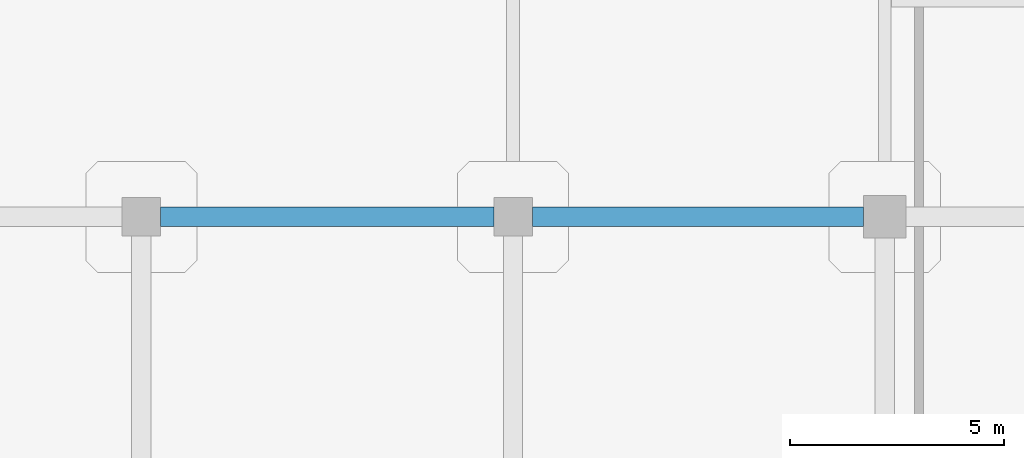
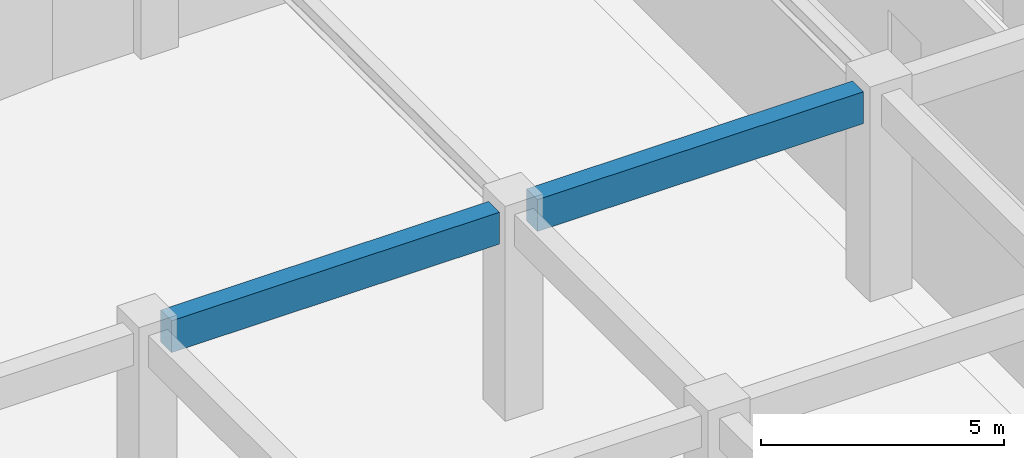
# One storey, part 20 of 114: 2 beams.
"""IFC4 building model written with IfcOpenShell, lengths in metres."""

from ifc_helpers import new_model, si_unit, derived_unit, direction, frame, origin, origin_2d, place, context, subcontext, project, spatial, rectangle, extrude, material, material_profile, profile_set, type_object, element, save


model = new_model("IFC4")

# Units and contexts
model_context = context("Model", 3, precision=1e-05, world=origin(), true_north=direction((0.0, 1.0)))
body_context = subcontext(model_context, "Body", "Model", "MODEL_VIEW")
ifc_project = project(units=[si_unit("LENGTHUNIT", "METRE"), si_unit("AREAUNIT", "SQUARE_METRE"), si_unit("VOLUMEUNIT", "CUBIC_METRE"), si_unit("PLANEANGLEUNIT", "RADIAN"), si_unit("MASSUNIT", "GRAM", prefix="KILO"), derived_unit("THERMALTRANSMITTANCEUNIT", [(si_unit("MASSUNIT", "GRAM", prefix="KILO"), 1), (si_unit("TIMEUNIT", "SECOND"), -3), (si_unit("THERMODYNAMICTEMPERATUREUNIT", "KELVIN"), -1)])], contexts=[model_context])

# Site, building, storey
site_placement = place(None, origin())
site = spatial("IfcSite", under=ifc_project, at=site_placement, CompositionType="ELEMENT")
building_placement = place(site_placement, origin())
building = spatial("IfcBuilding", under=site, at=building_placement, Name="Qinzheling Arcade Emporium", CompositionType="ELEMENT")
storey_placement = place(building_placement, frame((0.0, 0.0, 6.0)))
storey = spatial("IfcBuildingStorey", under=building, at=storey_placement, Name="L02", CompositionType="ELEMENT", Elevation=6.0)

# Beams
ifc_material = material(Name="Concrete C40", Category="concrete")
ifc_material_profile = material_profile(ifc_material, rectangle(XDim=0.449951171875, YDim=0.800048828125, at=origin_2d()), Name="RC 450x800", Category="concrete")
ifc_profile_set = profile_set([ifc_material_profile], Name="Concrete C40")
beam_type = type_object("IfcBeamType", Name="RC Primary Frame Beam 450x800 C40", PredefinedType="BEAM", material=ifc_profile_set)
beam_1_placement = place(storey_placement, frame((17.85009765625, 50.39990234375, 4.719970703125), z_axis=(1.0, 0.0, 0.0), x_axis=(0.0, 1.0, 0.0)))
element("IfcBeam", 1, at=beam_1_placement, inside=storey, type_object=beam_type, Name="Beam BM-L02-X-G-3", PredefinedType="BEAM", context=body_context, shape_type="SweptSolid", body=[
    extrude(rectangle(XDim=0.449951171875, YDim=0.800048828125, at=origin_2d()), origin(), (0.0, 0.0, 1.0), 7.7998046875),
])
beam_2_placement = place(storey_placement, frame((26.550048828125, 50.39990234375, 4.719970703125), z_axis=(1.0, 0.0, 0.0), x_axis=(0.0, 1.0, 0.0)))
element("IfcBeam", 2, at=beam_2_placement, inside=storey, type_object=beam_type, Name="Beam BM-L02-X-G-4", PredefinedType="BEAM", context=body_context, shape_type="SweptSolid", body=[
    extrude(rectangle(XDim=0.449951171875, YDim=0.800048828125, at=origin_2d()), origin(), (0.0, 0.0, 1.0), 7.75),
])

save(model, "model.ifc")
